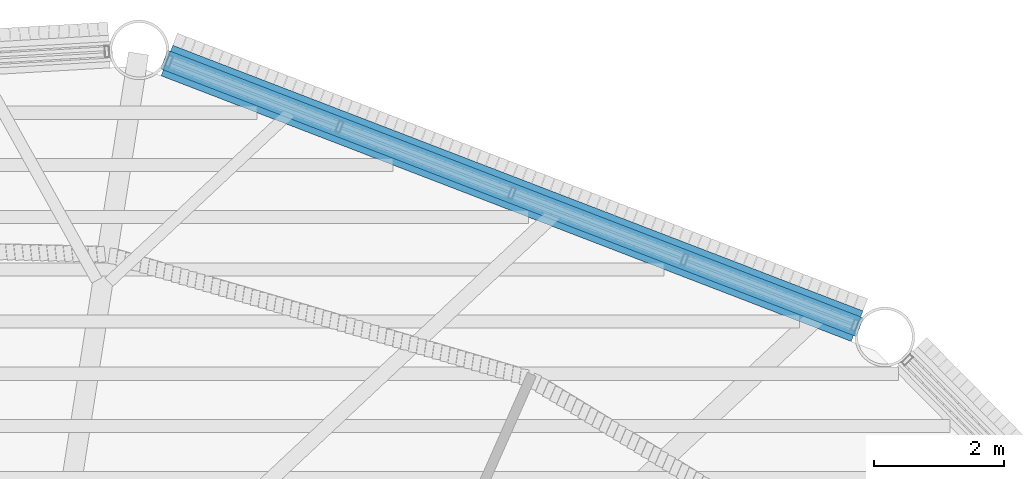
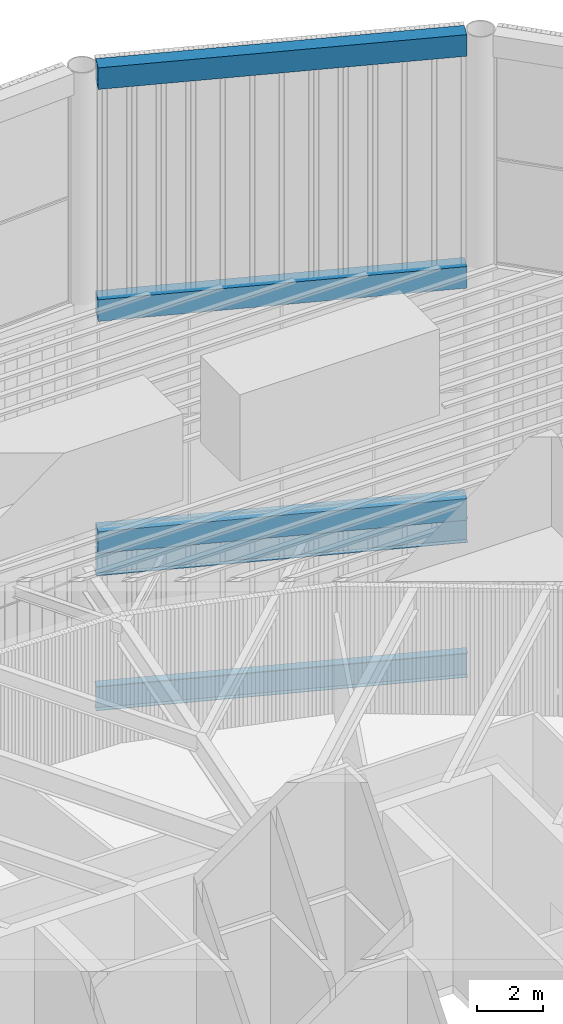
# One storey, part 58 of 117: 5 beams.
"""IFC4 building model written with IfcOpenShell, lengths in metres."""

from ifc_helpers import new_model, si_unit, direction, frame, origin, origin_2d, place, context, subcontext, project, spatial, hollow_rectangle, i_section, extrude, material, material_profile, profile_set, type_object, element, save


model = new_model("IFC4")

# Units and contexts
model_context = context("Model", 3, precision=1e-05, world=origin(), true_north=direction((0.0, 1.0)))
body_context = subcontext(model_context, "Body", "Model", "MODEL_VIEW")
ifc_project = project(units=[si_unit("LENGTHUNIT", "METRE"), si_unit("AREAUNIT", "SQUARE_METRE"), si_unit("VOLUMEUNIT", "CUBIC_METRE"), si_unit("PLANEANGLEUNIT", "RADIAN"), si_unit("MASSUNIT", "GRAM", prefix="KILO")], contexts=[model_context])

# Site, building, storey
site_placement = place(None, origin())
site = spatial("IfcSite", under=ifc_project, at=site_placement, CompositionType="ELEMENT")
building_placement = place(site_placement, origin())
building = spatial("IfcBuilding", under=site, at=building_placement, Name="Tarsis Ring Headquarters", CompositionType="ELEMENT")
storey_placement = place(building_placement, frame((0.0, 0.0, 403.60009765625)))
storey = spatial("IfcBuildingStorey", under=building, at=storey_placement, Name="L95", CompositionType="ELEMENT", Elevation=403.60009765625)

# Beams
ifc_material = material(Name="Structural steel S355", Category="steel")
ifc_material_profile_1 = material_profile(ifc_material, hollow_rectangle(XDim=0.5, YDim=0.800048828125, WallThickness=0.030029296875, at=origin_2d()), Name="RHS 800x500x30")
ifc_profile_set_1 = profile_set([ifc_material_profile_1], Name="Structural steel S355")
beam_type_1 = type_object("IfcBeamType", Name="Crown frame ring beam RHS 800x500x30", PredefinedType="BEAM", material=ifc_profile_set_1)
for number, where, z_axis, x_axis, name in (
    (1, (15.489013671875, 24.464599609375, 5.39990234375), (-0.933258979345, 0.359204228081, 0.0), (-0.359204228081, -0.933258979345, 0.0), "Crown frame ring beam R9"),
    (2, (15.489013671875, 24.464599609375, 14.0), (-0.933258979345, 0.359204228081, 0.0), (-0.359204228081, -0.933258979345, 0.0), "Crown frame ring beam M9"),
    (3, (15.489013671875, 24.464599609375, 22.599853515625), (-0.933258979345, 0.359204228081, 0.0), (-0.359204228081, -0.933258979345, 0.0), "Crown frame ring beam T9"),
):
    element("IfcBeam", number, at=place(storey_placement, frame(where, z_axis=z_axis, x_axis=x_axis)), inside=storey, type_object=beam_type_1, Name=name, PredefinedType="BEAM", context=body_context, shape_type="SweptSolid", body=[
        extrude(hollow_rectangle(XDim=0.5, YDim=0.800048828125, WallThickness=0.030029296875, at=origin_2d()), origin(), (0.0, 0.0, 1.0), 11.3349609375),
    ])
ifc_material_profile_2 = material_profile(ifc_material, i_section(OverallWidth=0.3046875, OverallDepth=0.904296875, WebThickness=0.01513671875, FlangeThickness=0.02001953125, at=origin_2d()), Name="W36x135")
ifc_profile_set_2 = profile_set([ifc_material_profile_2], Name="Structural steel S355")
beam_type_2 = type_object("IfcBeamType", Name="XG Ring girder W36x135", PredefinedType="BEAM", material=ifc_profile_set_2)
for number, where, z_axis, x_axis, name in (
    (4, (15.531494140625, 24.4482421875, -0.4521484375), (-0.933258567708, 0.359205297565, 0.0), (-0.359205297565, -0.933258567708, 0.0), "Ring girder XG5"),
    (5, (15.531494140625, 24.4482421875, 4.5478515625), (-0.933258567708, 0.359205297565, 0.0), (-0.359205297565, -0.933258567708, 0.0), "Ring girder XG5"),
):
    element("IfcBeam", number, at=place(storey_placement, frame(where, z_axis=z_axis, x_axis=x_axis)), inside=storey, type_object=beam_type_2, Name=name, PredefinedType="BEAM", context=body_context, shape_type="SweptSolid", body=[
        extrude(i_section(OverallWidth=0.3046875, OverallDepth=0.904296875, WebThickness=0.01513671875, FlangeThickness=0.02001953125, at=origin_2d()), origin(), (0.0, 0.0, 1.0), 11.426025390625),
    ])

save(model, "model.ifc")
